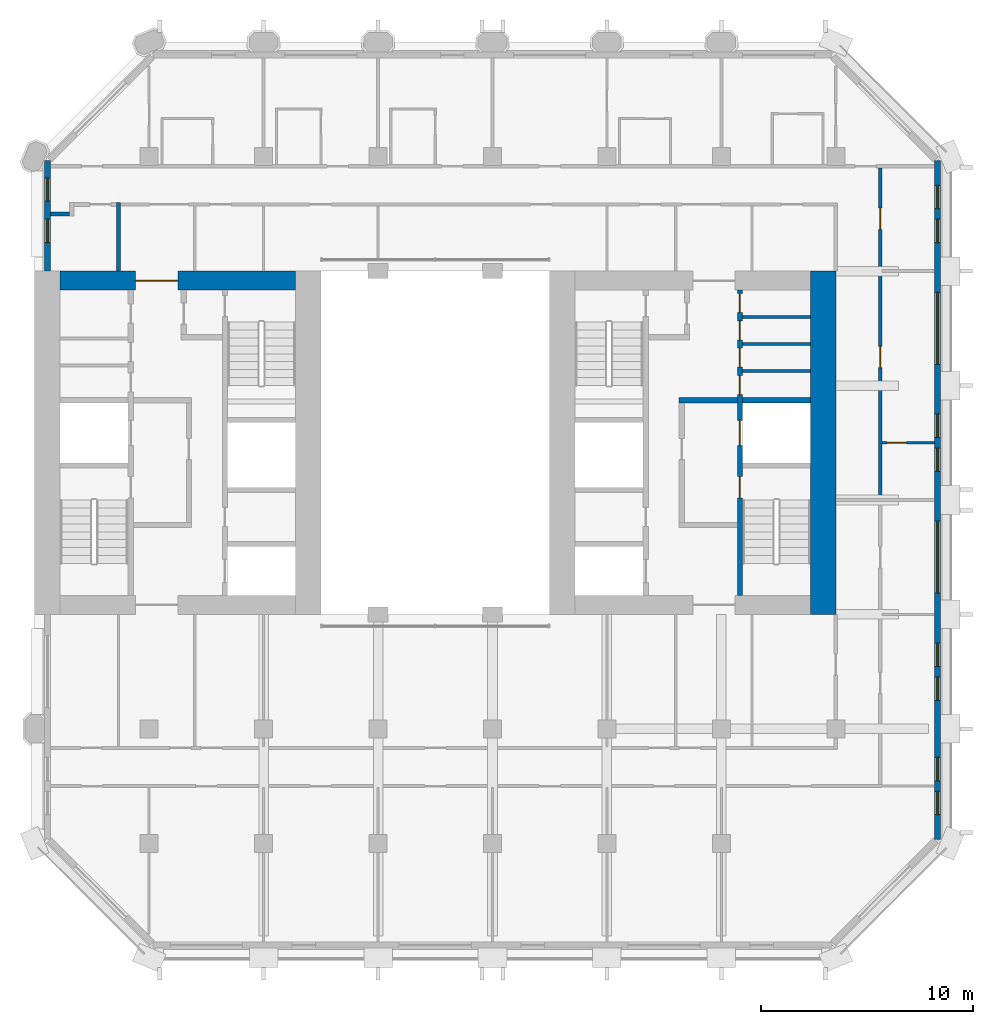
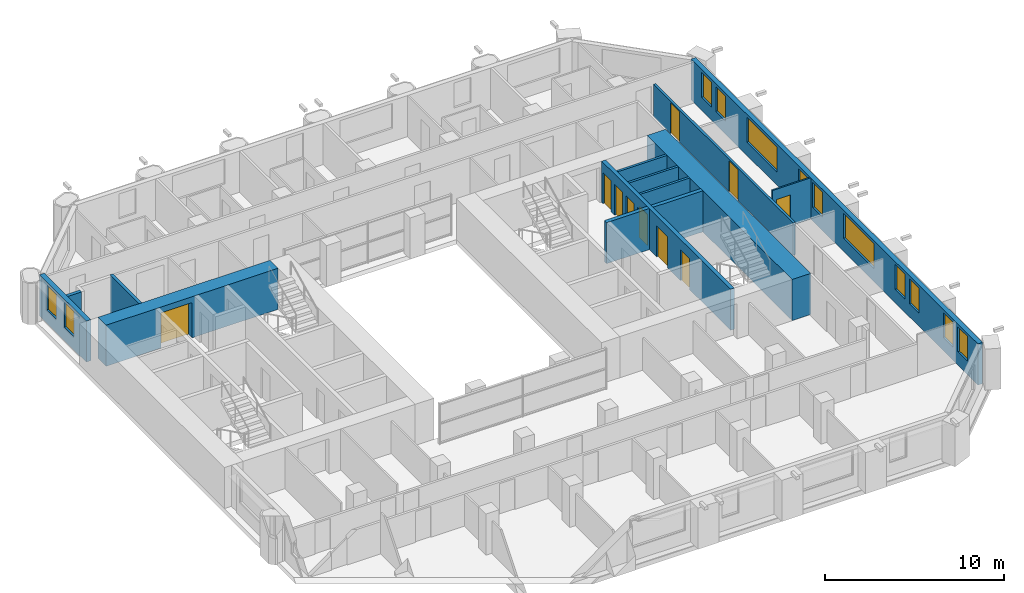
# One storey, part 8 of 12: 14 walls, 12 windows, 10 doors, 22 openings.
"""IFC4 building model written with IfcOpenShell, lengths in metres."""

from ifc_helpers import new_model, si_unit, direction, frame, frame_2d, origin, place, context, subcontext, project, spatial, rectangle, extrude, material, layer, layer_set, type_object, element, fill, save


model = new_model("IFC4")

# Units and contexts
model_context = context("Model", 3, precision=1e-05, world=origin(), true_north=direction((0.0, 1.0)))
body_context = subcontext(model_context, "Body", "Model", "MODEL_VIEW")
ifc_project = project(units=[si_unit("LENGTHUNIT", "METRE"), si_unit("AREAUNIT", "SQUARE_METRE"), si_unit("VOLUMEUNIT", "CUBIC_METRE"), si_unit("PLANEANGLEUNIT", "RADIAN"), si_unit("MASSUNIT", "GRAM", prefix="KILO")], contexts=[model_context])

# Site, building, storey
site_placement = place(None, origin())
site = spatial("IfcSite", under=ifc_project, at=site_placement, CompositionType="ELEMENT")
building_placement = place(site_placement, origin())
building = spatial("IfcBuilding", under=site, at=building_placement, Name="Tabaq Tower and Sports Hall", CompositionType="ELEMENT")
storey_placement = place(building_placement, frame((0.0, 0.0, 172.60009765625)))
storey = spatial("IfcBuildingStorey", under=building, at=storey_placement, Name="L41", CompositionType="ELEMENT", Elevation=172.60009765625)

# Walls
ifc_material_1 = material(Name="Blockwork", Category="masonry")
ifc_layer_1 = layer(ifc_material_1, 0.14990234375)
ifc_layer_set_1 = layer_set([ifc_layer_1], Name="Core room partition 150 Blockwork")
wall_type_1 = type_object("IfcWallType", Name="Core room partition 150 Blockwork", PredefinedType="PARTITIONING", material=ifc_layer_set_1)
for number, where, z_axis, x_axis, name in (
    (1, (38.800048828125, 27.694091796875, 0.0), (0.0, 0.0, 1.0), (1.0, 0.0, 0.0), "Core room partition E L41"),
    (2, (38.800048828125, 28.962890625, 0.0), (0.0, 0.0, 1.0), (1.0, 0.0, 0.0), "Core room partition E L41"),
    (3, (38.800048828125, 30.23193359375, 0.0), (0.0, 0.0, 1.0), (1.0, 0.0, 0.0), "Core room partition E L41"),
):
    element("IfcWall", number, at=place(storey_placement, frame(where, z_axis=z_axis, x_axis=x_axis)), inside=storey, type_object=wall_type_1, Name=name, PredefinedType="PARTITIONING", context=body_context, shape_type="SweptSolid", body=[
        extrude(rectangle(XDim=3.199951171875, YDim=0.14990234375, at=frame_2d((1.60009765625, 0.0))), origin(), (0.0, 0.0, 1.0), 2.7998046875),
    ])
ifc_material_2 = material(Name="Concrete C50/60", Category="concrete")
ifc_layer_2 = layer(ifc_material_2, 1.199951171875)
ifc_layer_set_2 = layer_set([ifc_layer_2], Name="Core wall 1200 Concrete C50/60")
wall_type_2 = type_object("IfcWallType", Name="Core wall 1200 Concrete C50/60", PredefinedType="SOLIDWALL", material=ifc_layer_set_2)
wall_1_placement = place(storey_placement, frame((42.60009765625, 32.39990234375, 0.0), z_axis=(0.0, 0.0, 1.0), x_axis=(0.0, -1.0, 0.0)))
element("IfcWall", 4, at=wall_1_placement, inside=storey, type_object=wall_type_2, Name="Core wall E L41", PredefinedType="SOLIDWALL", context=body_context, shape_type="SweptSolid", body=[
    extrude(rectangle(XDim=16.199951171875, YDim=1.199951171875, at=frame_2d((8.10009765625, 0.0))), origin(), (0.0, 0.0, 1.0), 2.7998046875),
])

# Wall, opening, door
ifc_material_3 = material(Name="Concrete C50/60", Category="concrete")
ifc_layer_3 = layer(ifc_material_3, 0.89990234375)
ifc_layer_set_3 = layer_set([ifc_layer_3], Name="Core wall 900 Concrete C50/60")
wall_type_3 = type_object("IfcWallType", Name="Core wall 900 Concrete C50/60", PredefinedType="SOLIDWALL", material=ifc_layer_set_3)
wall_2_placement = place(storey_placement, frame((6.60009765625, 31.949951171875, 0.0), z_axis=(0.0, 0.0, 1.0), x_axis=(1.0, 0.0, 0.0)))
wall_2 = element("IfcWall", 5, at=wall_2_placement, inside=storey, type_object=wall_type_3, Name="Core wall W L41", PredefinedType="SOLIDWALL", context=body_context, shape_type="SweptSolid", body=[
    extrude(rectangle(XDim=11.099853515625, YDim=0.89990234375, at=frame_2d((5.5498046875, 0.0))), origin(), (0.0, 0.0, 1.0), 2.7998046875),
])
opening_1_placement = place(wall_2_placement, frame((3.550048828125, 0.0, 0.0)))
opening_1 = element("IfcOpeningElement", 6, at=opening_1_placement, cuts=wall_2, Name="Opening PD-WL41-02", PredefinedType="OPENING", context=body_context, shape_type="SweptSolid", body=[
    extrude(rectangle(XDim=2.0, YDim=2.39990234375, at=frame_2d((1.0, 1.199951171875))), frame((0.0, 0.449951171875, 0.0), z_axis=(0.0, -1.0, 0.0), x_axis=(1.0, 0.0, 0.0)), (0.0, 0.0, 1.0), 0.89990234375),
])
ifc_material_4 = material(Name="Steel fire door", Category="steel")
door_type_1 = type_object("IfcDoorType", Name="Core entrance door 2000", OperationType="DOUBLE_DOOR_SINGLE_SWING", PredefinedType="DOOR", material=ifc_material_4)
door_1_placement = place(opening_1_placement, origin())
door_1 = element("IfcDoor", 7, at=door_1_placement, inside=storey, type_object=door_type_1, Name="Core entrance north W L41", OperationType="DOUBLE_DOOR_SINGLE_SWING", OverallHeight=2.39990234375, OverallWidth=2.0, PredefinedType="DOOR", context=body_context, shape_type="SweptSolid", body=[
    extrude(rectangle(XDim=2.0, YDim=2.39990234375, at=frame_2d((1.0, 1.199951171875))), frame((0.0, 0.02490234375, 0.0), z_axis=(0.0, -1.0, 0.0), x_axis=(1.0, 0.0, 0.0)), (0.0, 0.0, 1.0), 0.050048828125),
])
fill(opening_1, door_1)

# Walls
ifc_material_5 = material(Name="Blockwork", Category="masonry")
ifc_layer_4 = layer(ifc_material_5, 0.199951171875)
ifc_layer_set_4 = layer_set([ifc_layer_4], Name="Fire compartment wall 200 Blockwork")
wall_type_4 = type_object("IfcWallType", Name="Fire compartment wall 200 Blockwork", PredefinedType="PARTITIONING", material=ifc_layer_set_4)
wall_3_placement = place(storey_placement, frame((9.35009765625, 35.64990234375, 0.0), z_axis=(0.0, 0.0, 1.0), x_axis=(0.0, -1.0, 0.0)))
element("IfcWall", 8, at=wall_3_placement, inside=storey, type_object=wall_type_4, Name="Compartment wall L41", PredefinedType="PARTITIONING", context=body_context, shape_type="SweptSolid", body=[
    extrude(rectangle(XDim=3.25, YDim=0.199951171875, at=frame_2d((1.625, 0.0))), origin(), (0.0, 0.0, 1.0), 2.7998046875),
])
wall_4_placement = place(storey_placement, frame((7.050048828125, 35.10009765625, 0.0), z_axis=(0.0, 0.0, 1.0), x_axis=(-1.0, 0.0, 0.0)))
element("IfcWall", 9, at=wall_4_placement, inside=storey, type_object=wall_type_4, Name="Compartment wall L41", PredefinedType="PARTITIONING", context=body_context, shape_type="SweptSolid", body=[
    extrude(rectangle(XDim=0.900146484375, YDim=0.199951171875, at=frame_2d((0.4501953125, 0.0))), origin(), (0.0, 0.0, 1.0), 2.7998046875),
])

# Wall, opening, door
ifc_material_6 = material(Name="Gypsum board on steel studs", Category="steel")
ifc_layer_5 = layer(ifc_material_6, 0.10009765625)
ifc_layer_set_5 = layer_set([ifc_layer_5], Name="Partition 100 Gypsum board")
wall_type_5 = type_object("IfcWallType", Name="Partition 100 Gypsum board", PredefinedType="PARTITIONING", material=ifc_layer_set_5)
wall_5_placement = place(storey_placement, frame((45.375, 24.300048828125, 0.0), z_axis=(0.0, 0.0, 1.0), x_axis=(1.0, 0.0, 0.0)))
wall_5 = element("IfcWall", 10, at=wall_5_placement, inside=storey, type_object=wall_type_5, Name="Partition wall L41", PredefinedType="PARTITIONING", context=body_context, shape_type="SweptSolid", body=[
    extrude(rectangle(XDim=2.47412109375, YDim=0.10009765625, at=frame_2d((1.237060546875, 0.0))), origin(), (0.0, 0.0, 1.0), 2.7998046875),
])
opening_2_placement = place(wall_5_placement, frame((0.25, 0.0, 0.0)))
opening_2 = element("IfcOpeningElement", 11, at=opening_2_placement, cuts=wall_5, Name="Opening L41-009", PredefinedType="OPENING", context=body_context, shape_type="SweptSolid", body=[
    extrude(rectangle(XDim=0.89990234375, YDim=2.10009765625, at=frame_2d((0.449951171875, 1.050048828125))), frame((0.0, 0.050048828125, 0.0), z_axis=(0.0, -1.0, 0.0), x_axis=(1.0, 0.0, 0.0)), (0.0, 0.0, 1.0), 0.10009765625),
])
ifc_material_7 = material(Name="Timber leaf in steel frame", Category="steel")
door_type_2 = type_object("IfcDoorType", Name="Internal door 900 right hand", OperationType="SINGLE_SWING_RIGHT", PredefinedType="DOOR", material=ifc_material_7)
door_2_placement = place(opening_2_placement, origin())
door_2 = element("IfcDoor", 12, at=door_2_placement, inside=storey, type_object=door_type_2, Name="Internal door L41-009", OperationType="SINGLE_SWING_RIGHT", OverallHeight=2.10009765625, OverallWidth=0.89990234375, PredefinedType="DOOR", context=body_context, shape_type="SweptSolid", body=[
    extrude(rectangle(XDim=0.89990234375, YDim=2.10009765625, at=frame_2d((0.449951171875, 1.050048828125))), frame((0.0, 0.02490234375, 0.0), z_axis=(0.0, -1.0, 0.0), x_axis=(1.0, 0.0, 0.0)), (0.0, 0.0, 1.0), 0.050048828125),
])
fill(opening_2, door_2)

# Wall, openings, doors
ifc_material_8 = material(Name="Blockwork", Category="masonry")
ifc_layer_6 = layer(ifc_material_8, 0.14990234375)
ifc_layer_set_6 = layer_set([ifc_layer_6], Name="Separating wall 150 Blockwork")
wall_type_6 = type_object("IfcWallType", Name="Separating wall 150 Blockwork", PredefinedType="PARTITIONING", material=ifc_layer_set_6)
wall_6_placement = place(storey_placement, frame((45.300048828125, 37.27490234375, 0.0), z_axis=(0.0, 0.0, 1.0), x_axis=(0.0, -1.0, 0.0)))
wall_6 = element("IfcWall", 13, at=wall_6_placement, inside=storey, type_object=wall_type_6, Name="Separating wall L41", PredefinedType="PARTITIONING", context=body_context, shape_type="SweptSolid", body=[
    extrude(rectangle(XDim=15.599853515625, YDim=0.14990234375, at=frame_2d((7.7998046875, 0.0))), origin(), (0.0, 0.0, 1.0), 2.199951171875),
])
opening_3_placement = place(wall_6_placement, frame((1.89990234375, 0.0, 0.0)))
opening_3 = element("IfcOpeningElement", 14, at=opening_3_placement, cuts=wall_6, Name="Opening L41-001", PredefinedType="OPENING", context=body_context, shape_type="SweptSolid", body=[
    extrude(rectangle(XDim=1.0, YDim=2.10009765625, at=frame_2d((0.5, 1.050048828125))), frame((0.0, 0.074951171875, 0.0), z_axis=(0.0, -1.0, 0.0), x_axis=(1.0, 0.0, 0.0)), (0.0, 0.0, 1.0), 0.14990234375),
])
opening_4_placement = place(wall_6_placement, frame((8.425048828125, 0.0, 0.0)))
opening_4 = element("IfcOpeningElement", 15, at=opening_4_placement, cuts=wall_6, Name="Opening L41-036", PredefinedType="OPENING", context=body_context, shape_type="SweptSolid", body=[
    extrude(rectangle(XDim=1.0, YDim=2.10009765625, at=frame_2d((0.5, 1.050048828125))), frame((0.0, 0.074951171875, 0.0), z_axis=(0.0, -1.0, 0.0), x_axis=(1.0, 0.0, 0.0)), (0.0, 0.0, 1.0), 0.14990234375),
])
ifc_material_9 = material(Name="Steel fire door", Category="steel")
door_type_3 = type_object("IfcDoorType", Name="Entrance door 1000 left hand", OperationType="SINGLE_SWING_LEFT", PredefinedType="DOOR", material=ifc_material_9)
door_3_placement = place(opening_4_placement, origin())
door_3 = element("IfcDoor", 16, at=door_3_placement, inside=storey, type_object=door_type_3, Name="Entrance door L41-036", OperationType="SINGLE_SWING_LEFT", OverallHeight=2.10009765625, OverallWidth=1.0, PredefinedType="DOOR", context=body_context, shape_type="SweptSolid", body=[
    extrude(rectangle(XDim=1.0, YDim=2.10009765625, at=frame_2d((0.5, 1.050048828125))), frame((0.0, 0.02490234375, 0.0), z_axis=(0.0, -1.0, 0.0), x_axis=(1.0, 0.0, 0.0)), (0.0, 0.0, 1.0), 0.050048828125),
])
fill(opening_4, door_3)
ifc_material_10 = material(Name="Timber leaf in steel frame", Category="steel")
door_type_4 = type_object("IfcDoorType", Name="Internal door 1000 left hand", OperationType="SINGLE_SWING_LEFT", PredefinedType="DOOR", material=ifc_material_10)
door_4_placement = place(opening_3_placement, origin())
door_4 = element("IfcDoor", 17, at=door_4_placement, inside=storey, type_object=door_type_4, Name="Internal door L41-001", OperationType="SINGLE_SWING_LEFT", OverallHeight=2.10009765625, OverallWidth=1.0, PredefinedType="DOOR", context=body_context, shape_type="SweptSolid", body=[
    extrude(rectangle(XDim=1.0, YDim=2.10009765625, at=frame_2d((0.5, 1.050048828125))), frame((0.0, 0.02490234375, 0.0), z_axis=(0.0, -1.0, 0.0), x_axis=(1.0, 0.0, 0.0)), (0.0, 0.0, 1.0), 0.050048828125),
])
fill(opening_3, door_4)

ifc_material_11 = material(Name="Concrete C40/50", Category="concrete")
ifc_layer_7 = layer(ifc_material_11, 0.25)
ifc_layer_set_7 = layer_set([ifc_layer_7], Name="Shaft and stair wall 250 Concrete C40/50")
wall_type_7 = type_object("IfcWallType", Name="Shaft and stair wall 250 Concrete C40/50", PredefinedType="SOLIDWALL", material=ifc_layer_set_7)
wall_7_placement = place(storey_placement, frame((38.675048828125, 17.10009765625, 0.0), z_axis=(0.0, 0.0, 1.0), x_axis=(0.0, 1.0, 0.0)))
wall_7 = element("IfcWall", 18, at=wall_7_placement, inside=storey, type_object=wall_type_7, Name="Shaft wall E L41", PredefinedType="SOLIDWALL", context=body_context, shape_type="SweptSolid", body=[
    extrude(rectangle(XDim=14.39990234375, YDim=0.25, at=frame_2d((7.199951171875, 0.0))), origin(), (0.0, 0.0, 1.0), 2.7998046875),
])
opening_5_placement = place(wall_7_placement, frame((4.60009765625, 0.0, 0.0)))
opening_5 = element("IfcOpeningElement", 19, at=opening_5_placement, cuts=wall_7, Name="Opening SD-EL41-03", PredefinedType="OPENING", context=body_context, shape_type="SweptSolid", body=[
    extrude(rectangle(XDim=1.0, YDim=2.10009765625, at=frame_2d((0.5, 1.050048828125))), frame((0.0, 0.125, 0.0), z_axis=(0.0, -1.0, 0.0), x_axis=(1.0, 0.0, 0.0)), (0.0, 0.0, 1.0), 0.25),
])
opening_6_placement = place(wall_7_placement, frame((7.0625, 0.0, 0.0)))
opening_6 = element("IfcOpeningElement", 20, at=opening_6_placement, cuts=wall_7, Name="Opening LD-FF2-L41", PredefinedType="OPENING", context=body_context, shape_type="SweptSolid", body=[
    extrude(rectangle(XDim=1.199951171875, YDim=2.10009765625, at=frame_2d((0.60009765625, 1.050048828125))), frame((0.0, 0.125, 0.0), z_axis=(0.0, -1.0, 0.0), x_axis=(1.0, 0.0, 0.0)), (0.0, 0.0, 1.0), 0.25),
])
opening_7_placement = place(wall_7_placement, frame((9.471923828125, 0.0, 0.0)))
opening_7 = element("IfcOpeningElement", 21, at=opening_7_placement, cuts=wall_7, Name="Opening RD-EL41-09", PredefinedType="OPENING", context=body_context, shape_type="SweptSolid", body=[
    extrude(rectangle(XDim=0.89990234375, YDim=2.10009765625, at=frame_2d((0.449951171875, 1.050048828125))), frame((0.0, 0.125, 0.0), z_axis=(0.0, -1.0, 0.0), x_axis=(1.0, 0.0, 0.0)), (0.0, 0.0, 1.0), 0.25),
])
opening_8_placement = place(wall_7_placement, frame((10.778564453125, 0.0, 0.0)))
opening_8 = element("IfcOpeningElement", 22, at=opening_8_placement, cuts=wall_7, Name="Opening RD-EL41-10", PredefinedType="OPENING", context=body_context, shape_type="SweptSolid", body=[
    extrude(rectangle(XDim=0.89990234375, YDim=2.10009765625, at=frame_2d((0.449951171875, 1.050048828125))), frame((0.0, 0.125, 0.0), z_axis=(0.0, -1.0, 0.0), x_axis=(1.0, 0.0, 0.0)), (0.0, 0.0, 1.0), 0.25),
])
opening_9_placement = place(wall_7_placement, frame((12.047607421875, 0.0, 0.0)))
opening_9 = element("IfcOpeningElement", 23, at=opening_9_placement, cuts=wall_7, Name="Opening RD-EL41-11", PredefinedType="OPENING", context=body_context, shape_type="SweptSolid", body=[
    extrude(rectangle(XDim=0.89990234375, YDim=2.10009765625, at=frame_2d((0.449951171875, 1.050048828125))), frame((0.0, 0.125, 0.0), z_axis=(0.0, -1.0, 0.0), x_axis=(1.0, 0.0, 0.0)), (0.0, 0.0, 1.0), 0.25),
])
opening_10_placement = place(wall_7_placement, frame((13.353515625, 0.0, 0.0)))
opening_10 = element("IfcOpeningElement", 24, at=opening_10_placement, cuts=wall_7, Name="Opening RD-EL41-12", PredefinedType="OPENING", context=body_context, shape_type="SweptSolid", body=[
    extrude(rectangle(XDim=0.89990234375, YDim=2.10009765625, at=frame_2d((0.449951171875, 1.050048828125))), frame((0.0, 0.125, 0.0), z_axis=(0.0, -1.0, 0.0), x_axis=(1.0, 0.0, 0.0)), (0.0, 0.0, 1.0), 0.25),
])
ifc_material_12 = material(Name="Steel fire door", Category="steel")
door_type_5 = type_object("IfcDoorType", Name="Core room door 900", OperationType="SINGLE_SWING_LEFT", PredefinedType="DOOR", material=ifc_material_12)
door_5_placement = place(opening_7_placement, origin())
door_5 = element("IfcDoor", 25, at=door_5_placement, inside=storey, type_object=door_type_5, Name="Door Cleaner's Store E L41", OperationType="SINGLE_SWING_LEFT", OverallHeight=2.10009765625, OverallWidth=0.89990234375, PredefinedType="DOOR", context=body_context, shape_type="SweptSolid", body=[
    extrude(rectangle(XDim=0.89990234375, YDim=2.10009765625, at=frame_2d((0.449951171875, 1.050048828125))), frame((0.0, 0.02490234375, 0.0), z_axis=(0.0, -1.0, 0.0), x_axis=(1.0, 0.0, 0.0)), (0.0, 0.0, 1.0), 0.050048828125),
])
fill(opening_7, door_5)
door_6_placement = place(opening_8_placement, origin())
door_6 = element("IfcDoor", 26, at=door_6_placement, inside=storey, type_object=door_type_5, Name="Door Gents WC E L41", OperationType="SINGLE_SWING_LEFT", OverallHeight=2.10009765625, OverallWidth=0.89990234375, PredefinedType="DOOR", context=body_context, shape_type="SweptSolid", body=[
    extrude(rectangle(XDim=0.89990234375, YDim=2.10009765625, at=frame_2d((0.449951171875, 1.050048828125))), frame((0.0, 0.02490234375, 0.0), z_axis=(0.0, -1.0, 0.0), x_axis=(1.0, 0.0, 0.0)), (0.0, 0.0, 1.0), 0.050048828125),
])
fill(opening_8, door_6)
door_7_placement = place(opening_9_placement, origin())
door_7 = element("IfcDoor", 27, at=door_7_placement, inside=storey, type_object=door_type_5, Name="Door Ladies WC E L41", OperationType="SINGLE_SWING_LEFT", OverallHeight=2.10009765625, OverallWidth=0.89990234375, PredefinedType="DOOR", context=body_context, shape_type="SweptSolid", body=[
    extrude(rectangle(XDim=0.89990234375, YDim=2.10009765625, at=frame_2d((0.449951171875, 1.050048828125))), frame((0.0, 0.02490234375, 0.0), z_axis=(0.0, -1.0, 0.0), x_axis=(1.0, 0.0, 0.0)), (0.0, 0.0, 1.0), 0.050048828125),
])
fill(opening_9, door_7)
door_8_placement = place(opening_10_placement, origin())
door_8 = element("IfcDoor", 28, at=door_8_placement, inside=storey, type_object=door_type_5, Name="Door Accessible WC E L41", OperationType="SINGLE_SWING_LEFT", OverallHeight=2.10009765625, OverallWidth=0.89990234375, PredefinedType="DOOR", context=body_context, shape_type="SweptSolid", body=[
    extrude(rectangle(XDim=0.89990234375, YDim=2.10009765625, at=frame_2d((0.449951171875, 1.050048828125))), frame((0.0, 0.02490234375, 0.0), z_axis=(0.0, -1.0, 0.0), x_axis=(1.0, 0.0, 0.0)), (0.0, 0.0, 1.0), 0.050048828125),
])
fill(opening_10, door_8)
ifc_material_13 = material(Name="Stainless steel", Category="steel")
door_type_6 = type_object("IfcDoorType", Name="Lift landing door 1200", OperationType="DOUBLE_DOOR_SLIDING", PredefinedType="DOOR", material=ifc_material_13)
door_9_placement = place(opening_6_placement, origin())
door_9 = element("IfcDoor", 29, at=door_9_placement, inside=storey, type_object=door_type_6, Name="Lift landing door FF2 E L41", OperationType="DOUBLE_DOOR_SLIDING", OverallHeight=2.10009765625, OverallWidth=1.199951171875, PredefinedType="DOOR", context=body_context, shape_type="SweptSolid", body=[
    extrude(rectangle(XDim=1.199951171875, YDim=2.10009765625, at=frame_2d((0.60009765625, 1.050048828125))), frame((0.0, 0.02490234375, 0.0), z_axis=(0.0, -1.0, 0.0), x_axis=(1.0, 0.0, 0.0)), (0.0, 0.0, 1.0), 0.050048828125),
])
fill(opening_6, door_9)
ifc_material_14 = material(Name="Steel fire door", Category="steel")
door_type_7 = type_object("IfcDoorType", Name="Stair door 1000", OperationType="SINGLE_SWING_LEFT", PredefinedType="DOOR", material=ifc_material_14)
door_10_placement = place(opening_5_placement, origin())
door_10 = element("IfcDoor", 30, at=door_10_placement, inside=storey, type_object=door_type_7, Name="Stair door ST3 E L41", OperationType="SINGLE_SWING_LEFT", OverallHeight=2.10009765625, OverallWidth=1.0, PredefinedType="DOOR", context=body_context, shape_type="SweptSolid", body=[
    extrude(rectangle(XDim=1.0, YDim=2.10009765625, at=frame_2d((0.5, 1.050048828125))), frame((0.0, 0.02490234375, 0.0), z_axis=(0.0, -1.0, 0.0), x_axis=(1.0, 0.0, 0.0)), (0.0, 0.0, 1.0), 0.050048828125),
])
fill(opening_5, door_10)

# Walls
wall_8_placement = place(storey_placement, frame((38.800048828125, 26.300048828125, 0.0), z_axis=(0.0, 0.0, 1.0), x_axis=(1.0, 0.0, 0.0)))
element("IfcWall", 31, at=wall_8_placement, inside=storey, type_object=wall_type_7, Name="Shaft wall E L41", PredefinedType="SOLIDWALL", context=body_context, shape_type="SweptSolid", body=[
    extrude(rectangle(XDim=3.199951171875, YDim=0.25, at=frame_2d((1.60009765625, 0.0))), origin(), (0.0, 0.0, 1.0), 2.7998046875),
])
wall_9_placement = place(storey_placement, frame((35.800048828125, 26.300048828125, 0.0), z_axis=(0.0, 0.0, 1.0), x_axis=(1.0, 0.0, 0.0)))
element("IfcWall", 32, at=wall_9_placement, inside=storey, type_object=wall_type_7, Name="Fire-fighting lobby wall E L41", PredefinedType="SOLIDWALL", context=body_context, shape_type="SweptSolid", body=[
    extrude(rectangle(XDim=2.75, YDim=0.25, at=frame_2d((1.375, 0.0))), origin(), (0.0, 0.0, 1.0), 2.7998046875),
])

# Wall, openings, windows
ifc_material_15 = material(Name="White precast concrete C60/75", Category="concrete")
ifc_layer_8 = layer(ifc_material_15, 0.300048828125)
ifc_layer_set_8 = layer_set([ifc_layer_8], Name="White precast concrete C60/75 external wall 300")
wall_type_8 = type_object("IfcWallType", Name="White precast concrete C60/75 external wall 300", PredefinedType="SOLIDWALL", material=ifc_layer_set_8)
wall_10_placement = place(storey_placement, frame((48.0, 5.58642578125, 0.0), z_axis=(0.0, 0.0, 1.0), x_axis=(0.0, 1.0, 0.0)))
wall_10 = element("IfcWall", 33, at=wall_10_placement, inside=storey, type_object=wall_type_8, Name="External Wall L41 E", PredefinedType="SOLIDWALL", context=body_context, shape_type="SweptSolid", body=[
    extrude(rectangle(XDim=32.027099609375, YDim=0.300048828125, at=frame_2d((16.013671875, 0.0))), origin(), (0.0, 0.0, 1.0), 2.7998046875),
])
opening_11_placement = place(wall_10_placement, frame((1.16357421875, 0.0, 0.89990234375)))
opening_11 = element("IfcOpeningElement", 34, at=opening_11_placement, cuts=wall_10, Name="Opening W1B", PredefinedType="OPENING", context=body_context, shape_type="SweptSolid", body=[
    extrude(rectangle(XDim=1.10009765625, YDim=1.699951171875, at=frame_2d((0.550048828125, 0.85009765625))), frame((0.0, 0.16015625, 0.0), z_axis=(0.0, -1.0, 0.0), x_axis=(1.0, 0.0, 0.0)), (0.0, 0.0, 1.0), 0.320068359375),
])
opening_12_placement = place(wall_10_placement, frame((2.763671875, 0.0, 0.89990234375)))
opening_12 = element("IfcOpeningElement", 35, at=opening_12_placement, cuts=wall_10, Name="Opening W1B", PredefinedType="OPENING", context=body_context, shape_type="SweptSolid", body=[
    extrude(rectangle(XDim=1.10009765625, YDim=1.699951171875, at=frame_2d((0.550048828125, 0.85009765625))), frame((0.0, 0.16015625, 0.0), z_axis=(0.0, -1.0, 0.0), x_axis=(1.0, 0.0, 0.0)), (0.0, 0.0, 1.0), 0.320068359375),
])
opening_13_placement = place(wall_10_placement, frame((6.563720703125, 0.0, 0.89990234375)))
opening_13 = element("IfcOpeningElement", 36, at=opening_13_placement, cuts=wall_10, Name="Opening W1B", PredefinedType="OPENING", context=body_context, shape_type="SweptSolid", body=[
    extrude(rectangle(XDim=1.10009765625, YDim=1.699951171875, at=frame_2d((0.550048828125, 0.85009765625))), frame((0.0, 0.16015625, 0.0), z_axis=(0.0, -1.0, 0.0), x_axis=(1.0, 0.0, 0.0)), (0.0, 0.0, 1.0), 0.320068359375),
])
opening_14_placement = place(wall_10_placement, frame((8.16357421875, 0.0, 0.89990234375)))
opening_14 = element("IfcOpeningElement", 37, at=opening_14_placement, cuts=wall_10, Name="Opening W1B", PredefinedType="OPENING", context=body_context, shape_type="SweptSolid", body=[
    extrude(rectangle(XDim=1.10009765625, YDim=1.699951171875, at=frame_2d((0.550048828125, 0.85009765625))), frame((0.0, 0.16015625, 0.0), z_axis=(0.0, -1.0, 0.0), x_axis=(1.0, 0.0, 0.0)), (0.0, 0.0, 1.0), 0.320068359375),
])
opening_15_placement = place(wall_10_placement, frame((11.613525390625, 0.0, 0.89990234375)))
opening_15 = element("IfcOpeningElement", 38, at=opening_15_placement, cuts=wall_10, Name="Opening W1A", PredefinedType="OPENING", context=body_context, shape_type="SweptSolid", body=[
    extrude(rectangle(XDim=3.39990234375, YDim=1.699951171875, at=frame_2d((1.699951171875, 0.85009765625))), frame((0.0, 0.16015625, 0.0), z_axis=(0.0, -1.0, 0.0), x_axis=(1.0, 0.0, 0.0)), (0.0, 0.0, 1.0), 0.320068359375),
])
opening_16_placement = place(wall_10_placement, frame((17.363525390625, 0.0, 0.89990234375)))
opening_16 = element("IfcOpeningElement", 39, at=opening_16_placement, cuts=wall_10, Name="Opening W1B", PredefinedType="OPENING", context=body_context, shape_type="SweptSolid", body=[
    extrude(rectangle(XDim=1.10009765625, YDim=1.699951171875, at=frame_2d((0.550048828125, 0.85009765625))), frame((0.0, 0.16015625, 0.0), z_axis=(0.0, -1.0, 0.0), x_axis=(1.0, 0.0, 0.0)), (0.0, 0.0, 1.0), 0.320068359375),
])
opening_17_placement = place(wall_10_placement, frame((18.963623046875, 0.0, 0.89990234375)))
opening_17 = element("IfcOpeningElement", 40, at=opening_17_placement, cuts=wall_10, Name="Opening W1B", PredefinedType="OPENING", context=body_context, shape_type="SweptSolid", body=[
    extrude(rectangle(XDim=1.10009765625, YDim=1.699951171875, at=frame_2d((0.550048828125, 0.85009765625))), frame((0.0, 0.16015625, 0.0), z_axis=(0.0, -1.0, 0.0), x_axis=(1.0, 0.0, 0.0)), (0.0, 0.0, 1.0), 0.320068359375),
])
opening_18_placement = place(wall_10_placement, frame((22.41357421875, 0.0, 0.89990234375)))
opening_18 = element("IfcOpeningElement", 41, at=opening_18_placement, cuts=wall_10, Name="Opening W1A", PredefinedType="OPENING", context=body_context, shape_type="SweptSolid", body=[
    extrude(rectangle(XDim=3.39990234375, YDim=1.699951171875, at=frame_2d((1.699951171875, 0.85009765625))), frame((0.0, 0.16015625, 0.0), z_axis=(0.0, -1.0, 0.0), x_axis=(1.0, 0.0, 0.0)), (0.0, 0.0, 1.0), 0.320068359375),
])
opening_19_placement = place(wall_10_placement, frame((28.16357421875, 0.0, 0.89990234375)))
opening_19 = element("IfcOpeningElement", 42, at=opening_19_placement, cuts=wall_10, Name="Opening W1B", PredefinedType="OPENING", context=body_context, shape_type="SweptSolid", body=[
    extrude(rectangle(XDim=1.10009765625, YDim=1.699951171875, at=frame_2d((0.550048828125, 0.85009765625))), frame((0.0, 0.16015625, 0.0), z_axis=(0.0, -1.0, 0.0), x_axis=(1.0, 0.0, 0.0)), (0.0, 0.0, 1.0), 0.320068359375),
])
opening_20_placement = place(wall_10_placement, frame((29.763671875, 0.0, 0.89990234375)))
opening_20 = element("IfcOpeningElement", 43, at=opening_20_placement, cuts=wall_10, Name="Opening W1B", PredefinedType="OPENING", context=body_context, shape_type="SweptSolid", body=[
    extrude(rectangle(XDim=1.10009765625, YDim=1.699951171875, at=frame_2d((0.550048828125, 0.85009765625))), frame((0.0, 0.16015625, 0.0), z_axis=(0.0, -1.0, 0.0), x_axis=(1.0, 0.0, 0.0)), (0.0, 0.0, 1.0), 0.320068359375),
])
ifc_material_16 = material(Name="Aluminium framed clear glazing", Category="aluminium")
window_type_1 = type_object("IfcWindowType", Name="Window W1A", PartitioningType="SINGLE_PANEL", PredefinedType="WINDOW", material=ifc_material_16)
window_1_placement = place(opening_15_placement, origin())
window_1 = element("IfcWindow", 44, at=window_1_placement, inside=storey, type_object=window_type_1, Name="Window W1A L41", OverallHeight=1.699951171875, OverallWidth=3.39990234375, PartitioningType="SINGLE_PANEL", PredefinedType="WINDOW", context=body_context, shape_type="SweptSolid", body=[
    extrude(rectangle(XDim=3.39990234375, YDim=1.699951171875, at=frame_2d((1.699951171875, 0.85009765625))), frame((0.0, 0.030029296875, 0.0), z_axis=(0.0, -1.0, 0.0), x_axis=(1.0, 0.0, 0.0)), (0.0, 0.0, 1.0), 0.06005859375),
])
fill(opening_15, window_1)
window_2_placement = place(opening_18_placement, origin())
window_2 = element("IfcWindow", 45, at=window_2_placement, inside=storey, type_object=window_type_1, Name="Window W1A L41", OverallHeight=1.699951171875, OverallWidth=3.39990234375, PartitioningType="SINGLE_PANEL", PredefinedType="WINDOW", context=body_context, shape_type="SweptSolid", body=[
    extrude(rectangle(XDim=3.39990234375, YDim=1.699951171875, at=frame_2d((1.699951171875, 0.85009765625))), frame((0.0, 0.030029296875, 0.0), z_axis=(0.0, -1.0, 0.0), x_axis=(1.0, 0.0, 0.0)), (0.0, 0.0, 1.0), 0.06005859375),
])
fill(opening_18, window_2)
ifc_material_17 = material(Name="Aluminium framed clear glazing", Category="aluminium")
window_type_2 = type_object("IfcWindowType", Name="Window W1B", PartitioningType="SINGLE_PANEL", PredefinedType="WINDOW", material=ifc_material_17)
window_3_placement = place(opening_11_placement, origin())
window_3 = element("IfcWindow", 46, at=window_3_placement, inside=storey, type_object=window_type_2, Name="Window W1B L41", OverallHeight=1.699951171875, OverallWidth=1.10009765625, PartitioningType="SINGLE_PANEL", PredefinedType="WINDOW", context=body_context, shape_type="SweptSolid", body=[
    extrude(rectangle(XDim=1.10009765625, YDim=1.699951171875, at=frame_2d((0.550048828125, 0.85009765625))), frame((0.0, 0.030029296875, 0.0), z_axis=(0.0, -1.0, 0.0), x_axis=(1.0, 0.0, 0.0)), (0.0, 0.0, 1.0), 0.06005859375),
])
fill(opening_11, window_3)
window_4_placement = place(opening_12_placement, origin())
window_4 = element("IfcWindow", 47, at=window_4_placement, inside=storey, type_object=window_type_2, Name="Window W1B L41", OverallHeight=1.699951171875, OverallWidth=1.10009765625, PartitioningType="SINGLE_PANEL", PredefinedType="WINDOW", context=body_context, shape_type="SweptSolid", body=[
    extrude(rectangle(XDim=1.10009765625, YDim=1.699951171875, at=frame_2d((0.550048828125, 0.85009765625))), frame((0.0, 0.030029296875, 0.0), z_axis=(0.0, -1.0, 0.0), x_axis=(1.0, 0.0, 0.0)), (0.0, 0.0, 1.0), 0.06005859375),
])
fill(opening_12, window_4)
window_5_placement = place(opening_13_placement, origin())
window_5 = element("IfcWindow", 48, at=window_5_placement, inside=storey, type_object=window_type_2, Name="Window W1B L41", OverallHeight=1.699951171875, OverallWidth=1.10009765625, PartitioningType="SINGLE_PANEL", PredefinedType="WINDOW", context=body_context, shape_type="SweptSolid", body=[
    extrude(rectangle(XDim=1.10009765625, YDim=1.699951171875, at=frame_2d((0.550048828125, 0.85009765625))), frame((0.0, 0.030029296875, 0.0), z_axis=(0.0, -1.0, 0.0), x_axis=(1.0, 0.0, 0.0)), (0.0, 0.0, 1.0), 0.06005859375),
])
fill(opening_13, window_5)
window_6_placement = place(opening_14_placement, origin())
window_6 = element("IfcWindow", 49, at=window_6_placement, inside=storey, type_object=window_type_2, Name="Window W1B L41", OverallHeight=1.699951171875, OverallWidth=1.10009765625, PartitioningType="SINGLE_PANEL", PredefinedType="WINDOW", context=body_context, shape_type="SweptSolid", body=[
    extrude(rectangle(XDim=1.10009765625, YDim=1.699951171875, at=frame_2d((0.550048828125, 0.85009765625))), frame((0.0, 0.030029296875, 0.0), z_axis=(0.0, -1.0, 0.0), x_axis=(1.0, 0.0, 0.0)), (0.0, 0.0, 1.0), 0.06005859375),
])
fill(opening_14, window_6)
window_7_placement = place(opening_16_placement, origin())
window_7 = element("IfcWindow", 50, at=window_7_placement, inside=storey, type_object=window_type_2, Name="Window W1B L41", OverallHeight=1.699951171875, OverallWidth=1.10009765625, PartitioningType="SINGLE_PANEL", PredefinedType="WINDOW", context=body_context, shape_type="SweptSolid", body=[
    extrude(rectangle(XDim=1.10009765625, YDim=1.699951171875, at=frame_2d((0.550048828125, 0.85009765625))), frame((0.0, 0.030029296875, 0.0), z_axis=(0.0, -1.0, 0.0), x_axis=(1.0, 0.0, 0.0)), (0.0, 0.0, 1.0), 0.06005859375),
])
fill(opening_16, window_7)
window_8_placement = place(opening_17_placement, origin())
window_8 = element("IfcWindow", 51, at=window_8_placement, inside=storey, type_object=window_type_2, Name="Window W1B L41", OverallHeight=1.699951171875, OverallWidth=1.10009765625, PartitioningType="SINGLE_PANEL", PredefinedType="WINDOW", context=body_context, shape_type="SweptSolid", body=[
    extrude(rectangle(XDim=1.10009765625, YDim=1.699951171875, at=frame_2d((0.550048828125, 0.85009765625))), frame((0.0, 0.030029296875, 0.0), z_axis=(0.0, -1.0, 0.0), x_axis=(1.0, 0.0, 0.0)), (0.0, 0.0, 1.0), 0.06005859375),
])
fill(opening_17, window_8)
window_9_placement = place(opening_19_placement, origin())
window_9 = element("IfcWindow", 52, at=window_9_placement, inside=storey, type_object=window_type_2, Name="Window W1B L41", OverallHeight=1.699951171875, OverallWidth=1.10009765625, PartitioningType="SINGLE_PANEL", PredefinedType="WINDOW", context=body_context, shape_type="SweptSolid", body=[
    extrude(rectangle(XDim=1.10009765625, YDim=1.699951171875, at=frame_2d((0.550048828125, 0.85009765625))), frame((0.0, 0.030029296875, 0.0), z_axis=(0.0, -1.0, 0.0), x_axis=(1.0, 0.0, 0.0)), (0.0, 0.0, 1.0), 0.06005859375),
])
fill(opening_19, window_9)
window_10_placement = place(opening_20_placement, origin())
window_10 = element("IfcWindow", 53, at=window_10_placement, inside=storey, type_object=window_type_2, Name="Window W1B L41", OverallHeight=1.699951171875, OverallWidth=1.10009765625, PartitioningType="SINGLE_PANEL", PredefinedType="WINDOW", context=body_context, shape_type="SweptSolid", body=[
    extrude(rectangle(XDim=1.10009765625, YDim=1.699951171875, at=frame_2d((0.550048828125, 0.85009765625))), frame((0.0, 0.030029296875, 0.0), z_axis=(0.0, -1.0, 0.0), x_axis=(1.0, 0.0, 0.0)), (0.0, 0.0, 1.0), 0.06005859375),
])
fill(opening_20, window_10)

wall_11_placement = place(storey_placement, frame((6.0, 37.613525390625, 0.0), z_axis=(0.0, 0.0, 1.0), x_axis=(0.0, -1.0, 0.0)))
wall_11 = element("IfcWall", 54, at=wall_11_placement, inside=storey, type_object=wall_type_8, Name="External Wall L41 W", PredefinedType="SOLIDWALL", context=body_context, shape_type="SweptSolid", body=[
    extrude(rectangle(XDim=5.213623046875, YDim=0.300048828125, at=frame_2d((2.60693359375, 0.0))), origin(), (0.0, 0.0, 1.0), 2.7998046875),
])
opening_21_placement = place(wall_11_placement, frame((0.813720703125, 0.0, 0.89990234375)))
opening_21 = element("IfcOpeningElement", 55, at=opening_21_placement, cuts=wall_11, Name="Opening W1B", PredefinedType="OPENING", context=body_context, shape_type="SweptSolid", body=[
    extrude(rectangle(XDim=1.10009765625, YDim=1.699951171875, at=frame_2d((0.550048828125, 0.85009765625))), frame((0.0, 0.16015625, 0.0), z_axis=(0.0, -1.0, 0.0), x_axis=(1.0, 0.0, 0.0)), (0.0, 0.0, 1.0), 0.320068359375),
])
opening_22_placement = place(wall_11_placement, frame((2.763671875, 0.0, 0.89990234375)))
opening_22 = element("IfcOpeningElement", 56, at=opening_22_placement, cuts=wall_11, Name="Opening W1B", PredefinedType="OPENING", context=body_context, shape_type="SweptSolid", body=[
    extrude(rectangle(XDim=1.10009765625, YDim=1.699951171875, at=frame_2d((0.550048828125, 0.85009765625))), frame((0.0, 0.16015625, 0.0), z_axis=(0.0, -1.0, 0.0), x_axis=(1.0, 0.0, 0.0)), (0.0, 0.0, 1.0), 0.320068359375),
])
window_11_placement = place(opening_21_placement, origin())
window_11 = element("IfcWindow", 57, at=window_11_placement, inside=storey, type_object=window_type_2, Name="Window W1B L41", OverallHeight=1.699951171875, OverallWidth=1.10009765625, PartitioningType="SINGLE_PANEL", PredefinedType="WINDOW", context=body_context, shape_type="SweptSolid", body=[
    extrude(rectangle(XDim=1.10009765625, YDim=1.699951171875, at=frame_2d((0.550048828125, 0.85009765625))), frame((0.0, 0.030029296875, 0.0), z_axis=(0.0, -1.0, 0.0), x_axis=(1.0, 0.0, 0.0)), (0.0, 0.0, 1.0), 0.06005859375),
])
fill(opening_21, window_11)
window_12_placement = place(opening_22_placement, origin())
window_12 = element("IfcWindow", 58, at=window_12_placement, inside=storey, type_object=window_type_2, Name="Window W1B L41", OverallHeight=1.699951171875, OverallWidth=1.10009765625, PartitioningType="SINGLE_PANEL", PredefinedType="WINDOW", context=body_context, shape_type="SweptSolid", body=[
    extrude(rectangle(XDim=1.10009765625, YDim=1.699951171875, at=frame_2d((0.550048828125, 0.85009765625))), frame((0.0, 0.030029296875, 0.0), z_axis=(0.0, -1.0, 0.0), x_axis=(1.0, 0.0, 0.0)), (0.0, 0.0, 1.0), 0.06005859375),
])
fill(opening_22, window_12)

save(model, "model.ifc")
